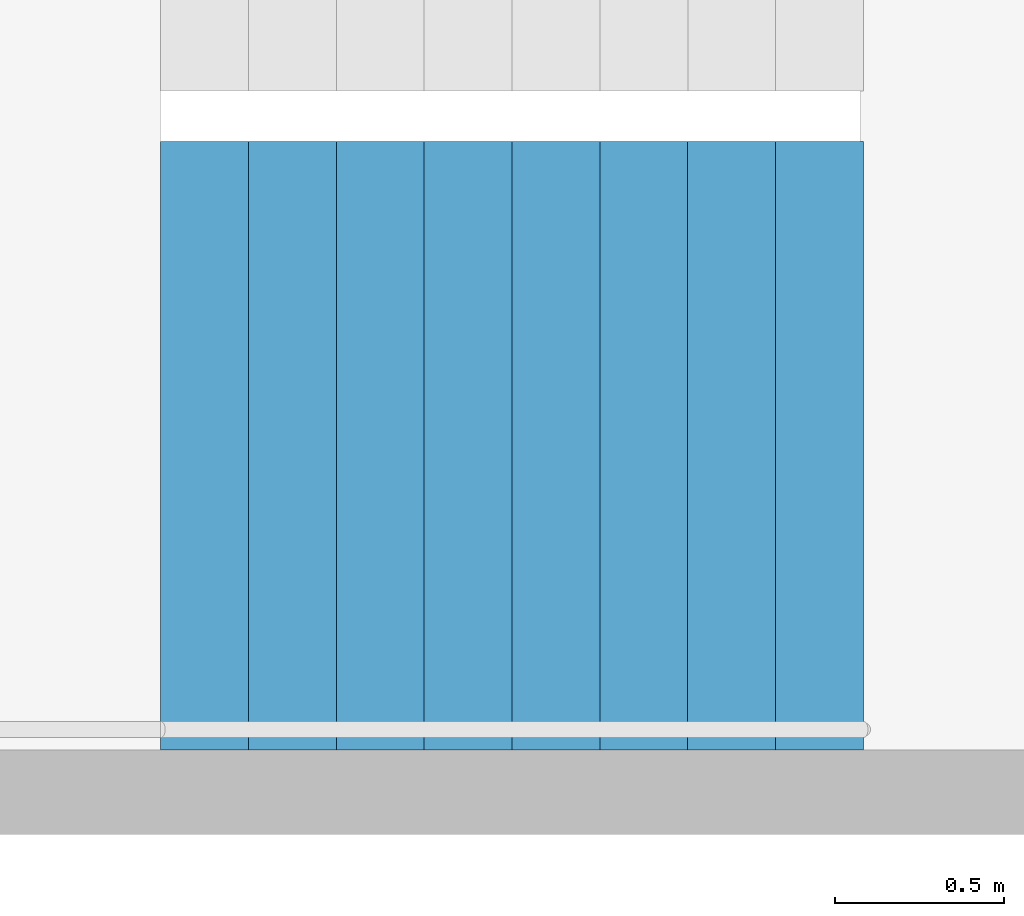
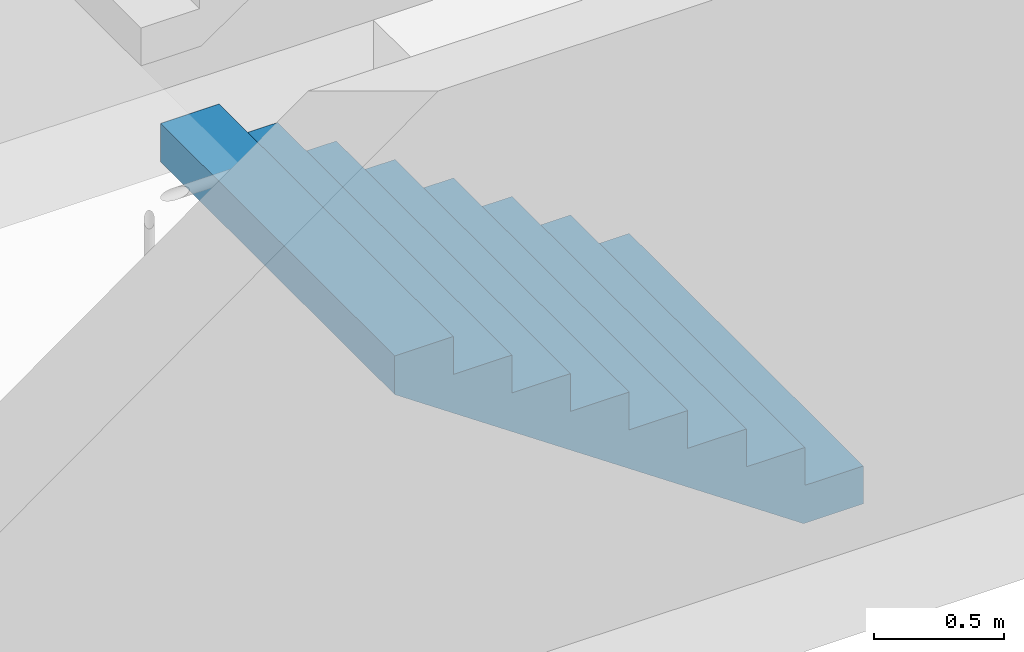
# One storey, part 27 of 36: 1 stair flight, 1 element without a shape of its own.
"""IFC4 building model written with IfcOpenShell, lengths in metres."""

from ifc_helpers import new_model, si_unit, direction, frame, origin, place, context, subcontext, project, spatial, triangles, material, type_object, element, aggregate, save


model = new_model("IFC4")

# Units and contexts
model_context = context("Model", 3, precision=1e-05, world=origin(), true_north=direction((0.0, 1.0)))
body_context = subcontext(model_context, "Body", "Model", "MODEL_VIEW")
ifc_project = project(units=[si_unit("LENGTHUNIT", "METRE"), si_unit("AREAUNIT", "SQUARE_METRE"), si_unit("VOLUMEUNIT", "CUBIC_METRE"), si_unit("PLANEANGLEUNIT", "RADIAN"), si_unit("MASSUNIT", "GRAM", prefix="KILO")], contexts=[model_context])

# Site, building, storey
site_placement = place(None, origin())
site = spatial("IfcSite", under=ifc_project, at=site_placement, CompositionType="ELEMENT")
building_placement = place(site_placement, origin())
building = spatial("IfcBuilding", under=site, at=building_placement, Name="Hakoniwa Tower and Hamabe Station Hall", CompositionType="ELEMENT")
storey_placement = place(building_placement, frame((0.0, 0.0, 26.199951171875)))
storey = spatial("IfcBuildingStorey", under=building, at=storey_placement, Name="L06", CompositionType="ELEMENT", Elevation=26.199951171875)

# Stair, stair flight
ifc_material_1 = material(Name="Concrete C40", Category="concrete")
stair_type = type_object("IfcStairType", Name="ESCAPE STAIR 1800", PredefinedType="HALF_TURN_STAIR", material=ifc_material_1)
stair_placement = place(storey_placement, origin())
stair = element("IfcStair", 1, at=stair_placement, inside=storey, type_object=stair_type, Name="Escape stair ST-3 L06", PredefinedType="HALF_TURN_STAIR")
ifc_material_2 = material(Name="Concrete C40", Category="concrete")
stair_flight_type = type_object("IfcStairFlightType", Name="STAIR FLIGHT 1800", PredefinedType="STRAIGHT", material=ifc_material_2)
stair_flight_placement = place(storey_placement, frame((24.39990234375, 4.64990234375, 0.0), z_axis=(0.0, 0.0, 1.0), x_axis=(-1.0, 0.0, 0.0)))
stair_flight = element("IfcStairFlight", 2, at=stair_flight_placement, type_object=stair_flight_type, Name="ST-3 flight 1", NumberOfRisers=9, NumberOfTreads=8, PredefinedType="STRAIGHT", RiserHeight=0.177777778, TreadLength=0.26, context=body_context, shape_type="Tessellation", body=[
    triangles([(0.0, 0.89990234375, 0.0), (0.260009765625, 0.89990234375, 0.0), (0.265625, 0.89990234375, 0.0), (0.52001953125, 0.89990234375, 0.174072265625), (0.780029296875, 0.89990234375, 0.351806640625), (1.0400390625, 0.89990234375, 0.529541015625), (1.300048828125, 0.89990234375, 0.707275390625), (1.56005859375, 0.89990234375, 0.885009765625), (1.820068359375, 0.89990234375, 1.062744140625), (2.080078125, 0.89990234375, 1.24072265625), (2.080078125, 0.89990234375, 1.422119140625), (1.820068359375, 0.89990234375, 1.422119140625), (1.820068359375, 0.89990234375, 1.244384765625), (1.56005859375, 0.89990234375, 1.244384765625), (1.56005859375, 0.89990234375, 1.066650390625), (1.300048828125, 0.89990234375, 1.066650390625), (1.300048828125, 0.89990234375, 0.888916015625), (1.0400390625, 0.89990234375, 0.888916015625), (1.0400390625, 0.89990234375, 0.711181640625), (0.780029296875, 0.89990234375, 0.711181640625), (0.780029296875, 0.89990234375, 0.533447265625), (0.52001953125, 0.89990234375, 0.533447265625), (0.52001953125, 0.89990234375, 0.35546875), (0.265625, 0.89990234375, 0.35546875), (0.260009765625, 0.89990234375, 0.35546875), (0.260009765625, 0.89990234375, 0.177734375), (0.0, 0.89990234375, 0.177734375), (0.0, 0.06005859375, 0.0), (0.260009765625, 0.06005859375, 0.0), (0.265625, 0.06005859375, 0.0), (0.52001953125, 0.06005859375, 0.174072265625), (0.780029296875, 0.06005859375, 0.351806640625), (1.0400390625, 0.06005859375, 0.529541015625), (1.300048828125, 0.06005859375, 0.707275390625), (1.56005859375, 0.06005859375, 0.885009765625), (1.820068359375, 0.06005859375, 1.062744140625), (2.080078125, 0.06005859375, 1.24072265625), (2.080078125, 0.06005859375, 1.422119140625), (1.820068359375, 0.06005859375, 1.422119140625), (1.820068359375, 0.06005859375, 1.244384765625), (1.56005859375, 0.06005859375, 1.244384765625), (1.56005859375, 0.06005859375, 1.066650390625), (1.300048828125, 0.06005859375, 1.066650390625), (1.300048828125, 0.06005859375, 0.888916015625), (1.0400390625, 0.06005859375, 0.888916015625), (1.0400390625, 0.06005859375, 0.711181640625), (0.780029296875, 0.06005859375, 0.711181640625), (0.780029296875, 0.06005859375, 0.533447265625), (0.52001953125, 0.06005859375, 0.533447265625), (0.52001953125, 0.06005859375, 0.35546875), (0.265625, 0.06005859375, 0.35546875), (0.260009765625, 0.06005859375, 0.35546875), (0.260009765625, 0.06005859375, 0.177734375), (0.0, 0.06005859375, 0.177734375), (0.0, 0.04296875, 0.0), (0.260009765625, 0.04296875, 0.0), (0.265625, 0.04296875, 0.0), (0.52001953125, 0.04296875, 0.174072265625), (0.780029296875, 0.04296875, 0.351806640625), (1.0400390625, 0.04296875, 0.529541015625), (1.300048828125, 0.04296875, 0.707275390625), (1.56005859375, 0.04296875, 0.885009765625), (1.820068359375, 0.04296875, 1.062744140625), (2.080078125, 0.04296875, 1.24072265625), (2.080078125, 0.04296875, 1.422119140625), (1.820068359375, 0.04296875, 1.422119140625), (1.820068359375, 0.04296875, 1.244384765625), (1.56005859375, 0.04296875, 1.244384765625), (1.56005859375, 0.04296875, 1.066650390625), (1.300048828125, 0.04296875, 1.066650390625), (1.300048828125, 0.04296875, 0.888916015625), (1.0400390625, 0.04296875, 0.888916015625), (1.0400390625, 0.04296875, 0.711181640625), (0.780029296875, 0.04296875, 0.711181640625), (0.780029296875, 0.04296875, 0.533447265625), (0.52001953125, 0.04296875, 0.533447265625), (0.52001953125, 0.04296875, 0.35546875), (0.265625, 0.04296875, 0.35546875), (0.260009765625, 0.04296875, 0.35546875), (0.260009765625, 0.04296875, 0.177734375), (0.0, 0.04296875, 0.177734375), (0.0, 0.025634765625, 0.0), (0.260009765625, 0.025634765625, 0.0), (0.265625, 0.025634765625, 0.0), (0.52001953125, 0.025634765625, 0.174072265625), (0.780029296875, 0.025634765625, 0.351806640625), (1.0400390625, 0.025634765625, 0.529541015625), (1.300048828125, 0.025634765625, 0.707275390625), (1.56005859375, 0.025634765625, 0.885009765625), (1.820068359375, 0.025634765625, 1.062744140625), (2.080078125, 0.025634765625, 1.24072265625), (2.080078125, 0.025634765625, 1.422119140625), (1.820068359375, 0.025634765625, 1.422119140625), (1.820068359375, 0.025634765625, 1.244384765625), (1.56005859375, 0.025634765625, 1.244384765625), (1.56005859375, 0.025634765625, 1.066650390625), (1.300048828125, 0.025634765625, 1.066650390625), (1.300048828125, 0.025634765625, 0.888916015625), (1.0400390625, 0.025634765625, 0.888916015625), (1.0400390625, 0.025634765625, 0.711181640625), (0.780029296875, 0.025634765625, 0.711181640625), (0.780029296875, 0.025634765625, 0.533447265625), (0.52001953125, 0.025634765625, 0.533447265625), (0.52001953125, 0.025634765625, 0.35546875), (0.265625, 0.025634765625, 0.35546875), (0.260009765625, 0.025634765625, 0.35546875), (0.260009765625, 0.025634765625, 0.177734375), (0.0, 0.025634765625, 0.177734375), (0.0, 0.008544921875, 0.0), (0.260009765625, 0.008544921875, 0.0), (0.265625, 0.008544921875, 0.0), (0.52001953125, 0.008544921875, 0.174072265625), (0.780029296875, 0.008544921875, 0.351806640625), (1.0400390625, 0.008544921875, 0.529541015625), (1.300048828125, 0.008544921875, 0.707275390625), (1.56005859375, 0.008544921875, 0.885009765625), (1.820068359375, 0.008544921875, 1.062744140625), (2.080078125, 0.008544921875, 1.24072265625), (2.080078125, 0.008544921875, 1.422119140625), (1.820068359375, 0.008544921875, 1.422119140625), (1.820068359375, 0.008544921875, 1.244384765625), (1.56005859375, 0.008544921875, 1.244384765625), (1.56005859375, 0.008544921875, 1.066650390625), (1.300048828125, 0.008544921875, 1.066650390625), (1.300048828125, 0.008544921875, 0.888916015625), (1.0400390625, 0.008544921875, 0.888916015625), (1.0400390625, 0.008544921875, 0.711181640625), (0.780029296875, 0.008544921875, 0.711181640625), (0.780029296875, 0.008544921875, 0.533447265625), (0.52001953125, 0.008544921875, 0.533447265625), (0.52001953125, 0.008544921875, 0.35546875), (0.265625, 0.008544921875, 0.35546875), (0.260009765625, 0.008544921875, 0.35546875), (0.260009765625, 0.008544921875, 0.177734375), (0.0, 0.008544921875, 0.177734375), (0.0, -0.008544921875, 0.0), (0.260009765625, -0.008544921875, 0.0), (0.265625, -0.008544921875, 0.0), (0.52001953125, -0.008544921875, 0.174072265625), (0.780029296875, -0.008544921875, 0.351806640625), (1.0400390625, -0.008544921875, 0.529541015625), (1.300048828125, -0.008544921875, 0.707275390625), (1.56005859375, -0.008544921875, 0.885009765625), (1.820068359375, -0.008544921875, 1.062744140625), (2.080078125, -0.008544921875, 1.24072265625), (2.080078125, -0.008544921875, 1.422119140625), (1.820068359375, -0.008544921875, 1.422119140625), (1.820068359375, -0.008544921875, 1.244384765625), (1.56005859375, -0.008544921875, 1.244384765625), (1.56005859375, -0.008544921875, 1.066650390625), (1.300048828125, -0.008544921875, 1.066650390625), (1.300048828125, -0.008544921875, 0.888916015625), (1.0400390625, -0.008544921875, 0.888916015625), (1.0400390625, -0.008544921875, 0.711181640625), (0.780029296875, -0.008544921875, 0.711181640625), (0.780029296875, -0.008544921875, 0.533447265625), (0.52001953125, -0.008544921875, 0.533447265625), (0.52001953125, -0.008544921875, 0.35546875), (0.265625, -0.008544921875, 0.35546875), (0.260009765625, -0.008544921875, 0.35546875), (0.260009765625, -0.008544921875, 0.177734375), (0.0, -0.008544921875, 0.177734375), (0.0, -0.025634765625, 0.0), (0.260009765625, -0.025634765625, 0.0), (0.265625, -0.025634765625, 0.0), (0.52001953125, -0.025634765625, 0.174072265625), (0.780029296875, -0.025634765625, 0.351806640625), (1.0400390625, -0.025634765625, 0.529541015625), (1.300048828125, -0.025634765625, 0.707275390625), (1.56005859375, -0.025634765625, 0.885009765625), (1.820068359375, -0.025634765625, 1.062744140625), (2.080078125, -0.025634765625, 1.24072265625), (2.080078125, -0.025634765625, 1.422119140625), (1.820068359375, -0.025634765625, 1.422119140625), (1.820068359375, -0.025634765625, 1.244384765625), (1.56005859375, -0.025634765625, 1.244384765625), (1.56005859375, -0.025634765625, 1.066650390625), (1.300048828125, -0.025634765625, 1.066650390625), (1.300048828125, -0.025634765625, 0.888916015625), (1.0400390625, -0.025634765625, 0.888916015625), (1.0400390625, -0.025634765625, 0.711181640625), (0.780029296875, -0.025634765625, 0.711181640625), (0.780029296875, -0.025634765625, 0.533447265625), (0.52001953125, -0.025634765625, 0.533447265625), (0.52001953125, -0.025634765625, 0.35546875), (0.265625, -0.025634765625, 0.35546875), (0.260009765625, -0.025634765625, 0.35546875), (0.260009765625, -0.025634765625, 0.177734375), (0.0, -0.025634765625, 0.177734375), (0.0, -0.04296875, 0.0), (0.260009765625, -0.04296875, 0.0), (0.265625, -0.04296875, 0.0), (0.52001953125, -0.04296875, 0.174072265625), (0.780029296875, -0.04296875, 0.351806640625), (1.0400390625, -0.04296875, 0.529541015625), (1.300048828125, -0.04296875, 0.707275390625), (1.56005859375, -0.04296875, 0.885009765625), (1.820068359375, -0.04296875, 1.062744140625), (2.080078125, -0.04296875, 1.24072265625), (2.080078125, -0.04296875, 1.422119140625), (1.820068359375, -0.04296875, 1.422119140625), (1.820068359375, -0.04296875, 1.244384765625), (1.56005859375, -0.04296875, 1.244384765625), (1.56005859375, -0.04296875, 1.066650390625), (1.300048828125, -0.04296875, 1.066650390625), (1.300048828125, -0.04296875, 0.888916015625), (1.0400390625, -0.04296875, 0.888916015625), (1.0400390625, -0.04296875, 0.711181640625), (0.780029296875, -0.04296875, 0.711181640625), (0.780029296875, -0.04296875, 0.533447265625), (0.52001953125, -0.04296875, 0.533447265625), (0.52001953125, -0.04296875, 0.35546875), (0.265625, -0.04296875, 0.35546875), (0.260009765625, -0.04296875, 0.35546875), (0.260009765625, -0.04296875, 0.177734375), (0.0, -0.04296875, 0.177734375), (0.0, -0.06005859375, 0.0), (0.260009765625, -0.06005859375, 0.0), (0.265625, -0.06005859375, 0.0), (0.52001953125, -0.06005859375, 0.174072265625), (0.780029296875, -0.06005859375, 0.351806640625), (1.0400390625, -0.06005859375, 0.529541015625), (1.300048828125, -0.06005859375, 0.707275390625), (1.56005859375, -0.06005859375, 0.885009765625), (1.820068359375, -0.06005859375, 1.062744140625), (2.080078125, -0.06005859375, 1.24072265625), (2.080078125, -0.06005859375, 1.422119140625), (1.820068359375, -0.06005859375, 1.422119140625), (1.820068359375, -0.06005859375, 1.244384765625), (1.56005859375, -0.06005859375, 1.244384765625), (1.56005859375, -0.06005859375, 1.066650390625), (1.300048828125, -0.06005859375, 1.066650390625), (1.300048828125, -0.06005859375, 0.888916015625), (1.0400390625, -0.06005859375, 0.888916015625), (1.0400390625, -0.06005859375, 0.711181640625), (0.780029296875, -0.06005859375, 0.711181640625), (0.780029296875, -0.06005859375, 0.533447265625), (0.52001953125, -0.06005859375, 0.533447265625), (0.52001953125, -0.06005859375, 0.35546875), (0.265625, -0.06005859375, 0.35546875), (0.260009765625, -0.06005859375, 0.35546875), (0.260009765625, -0.06005859375, 0.177734375), (0.0, -0.06005859375, 0.177734375), (0.0, -0.89990234375, 0.0), (0.260009765625, -0.89990234375, 0.0), (0.265625, -0.89990234375, 0.0), (0.52001953125, -0.89990234375, 0.174072265625), (0.780029296875, -0.89990234375, 0.351806640625), (1.0400390625, -0.89990234375, 0.529541015625), (1.300048828125, -0.89990234375, 0.707275390625), (1.56005859375, -0.89990234375, 0.885009765625), (1.820068359375, -0.89990234375, 1.062744140625), (2.080078125, -0.89990234375, 1.24072265625), (2.080078125, -0.89990234375, 1.422119140625), (1.820068359375, -0.89990234375, 1.422119140625), (1.820068359375, -0.89990234375, 1.244384765625), (1.56005859375, -0.89990234375, 1.244384765625), (1.56005859375, -0.89990234375, 1.066650390625), (1.300048828125, -0.89990234375, 1.066650390625), (1.300048828125, -0.89990234375, 0.888916015625), (1.0400390625, -0.89990234375, 0.888916015625), (1.0400390625, -0.89990234375, 0.711181640625), (0.780029296875, -0.89990234375, 0.711181640625), (0.780029296875, -0.89990234375, 0.533447265625), (0.52001953125, -0.89990234375, 0.533447265625), (0.52001953125, -0.89990234375, 0.35546875), (0.265625, -0.89990234375, 0.35546875), (0.260009765625, -0.89990234375, 0.35546875), (0.260009765625, -0.89990234375, 0.177734375), (0.0, -0.89990234375, 0.177734375)], [[2, 27, 26], [245, 269, 270], [2, 1, 27], [245, 270, 244], [3, 25, 24], [246, 267, 268], [3, 26, 25], [246, 268, 269], [3, 2, 26], [246, 269, 245], [4, 24, 23], [247, 266, 267], [4, 3, 24], [247, 267, 246], [5, 22, 21], [248, 264, 265], [5, 23, 22], [248, 265, 266], [5, 4, 23], [248, 266, 247], [6, 20, 19], [249, 262, 263], [6, 21, 20], [249, 263, 264], [6, 5, 21], [249, 264, 248], [7, 18, 17], [250, 260, 261], [7, 19, 18], [250, 261, 262], [7, 6, 19], [250, 262, 249], [8, 16, 15], [251, 258, 259], [8, 17, 16], [251, 259, 260], [8, 7, 17], [251, 260, 250], [9, 14, 13], [252, 256, 257], [9, 15, 14], [252, 257, 258], [9, 8, 15], [252, 258, 251], [10, 12, 11], [253, 254, 255], [10, 13, 12], [253, 255, 256], [10, 9, 13], [253, 256, 252], [1, 2, 29], [1, 29, 28], [28, 29, 56], [28, 56, 55], [55, 56, 83], [55, 83, 82], [82, 83, 110], [82, 110, 109], [109, 110, 137], [109, 137, 136], [136, 137, 164], [136, 164, 163], [163, 164, 191], [163, 191, 190], [190, 191, 218], [190, 218, 217], [217, 218, 245], [217, 245, 244], [2, 3, 30], [2, 30, 29], [29, 30, 57], [29, 57, 56], [56, 57, 84], [56, 84, 83], [83, 84, 111], [83, 111, 110], [110, 111, 138], [110, 138, 137], [137, 138, 165], [137, 165, 164], [164, 165, 192], [164, 192, 191], [191, 192, 219], [191, 219, 218], [218, 219, 246], [218, 246, 245], [3, 4, 31], [3, 31, 30], [30, 31, 58], [30, 58, 57], [57, 58, 85], [57, 85, 84], [84, 85, 112], [84, 112, 111], [111, 112, 139], [111, 139, 138], [138, 139, 166], [138, 166, 165], [165, 166, 193], [165, 193, 192], [192, 193, 220], [192, 220, 219], [219, 220, 247], [219, 247, 246], [4, 5, 32], [4, 32, 31], [31, 32, 59], [31, 59, 58], [58, 59, 86], [58, 86, 85], [85, 86, 113], [85, 113, 112], [112, 113, 140], [112, 140, 139], [139, 140, 167], [139, 167, 166], [166, 167, 194], [166, 194, 193], [193, 194, 221], [193, 221, 220], [220, 221, 248], [220, 248, 247], [5, 6, 33], [5, 33, 32], [32, 33, 60], [32, 60, 59], [59, 60, 87], [59, 87, 86], [86, 87, 114], [86, 114, 113], [113, 114, 141], [113, 141, 140], [140, 141, 168], [140, 168, 167], [167, 168, 195], [167, 195, 194], [194, 195, 222], [194, 222, 221], [221, 222, 249], [221, 249, 248], [6, 7, 34], [6, 34, 33], [33, 34, 61], [33, 61, 60], [60, 61, 88], [60, 88, 87], [87, 88, 115], [87, 115, 114], [114, 115, 142], [114, 142, 141], [141, 142, 169], [141, 169, 168], [168, 169, 196], [168, 196, 195], [195, 196, 223], [195, 223, 222], [222, 223, 250], [222, 250, 249], [7, 8, 35], [7, 35, 34], [34, 35, 62], [34, 62, 61], [61, 62, 89], [61, 89, 88], [88, 89, 116], [88, 116, 115], [115, 116, 143], [115, 143, 142], [142, 143, 170], [142, 170, 169], [169, 170, 197], [169, 197, 196], [196, 197, 224], [196, 224, 223], [223, 224, 251], [223, 251, 250], [8, 9, 36], [8, 36, 35], [35, 36, 63], [35, 63, 62], [62, 63, 90], [62, 90, 89], [89, 90, 117], [89, 117, 116], [116, 117, 144], [116, 144, 143], [143, 144, 171], [143, 171, 170], [170, 171, 198], [170, 198, 197], [197, 198, 225], [197, 225, 224], [224, 225, 252], [224, 252, 251], [9, 10, 37], [9, 37, 36], [36, 37, 64], [36, 64, 63], [63, 64, 91], [63, 91, 90], [90, 91, 118], [90, 118, 117], [117, 118, 145], [117, 145, 144], [144, 145, 172], [144, 172, 171], [171, 172, 199], [171, 199, 198], [198, 199, 226], [198, 226, 225], [225, 226, 253], [225, 253, 252], [10, 11, 38], [10, 38, 37], [37, 38, 65], [37, 65, 64], [64, 65, 92], [64, 92, 91], [91, 92, 119], [91, 119, 118], [118, 119, 146], [118, 146, 145], [145, 146, 173], [145, 173, 172], [172, 173, 200], [172, 200, 199], [199, 200, 227], [199, 227, 226], [226, 227, 254], [226, 254, 253], [11, 12, 39], [11, 39, 38], [38, 39, 66], [38, 66, 65], [65, 66, 93], [65, 93, 92], [92, 93, 120], [92, 120, 119], [119, 120, 147], [119, 147, 146], [146, 147, 174], [146, 174, 173], [173, 174, 201], [173, 201, 200], [200, 201, 228], [200, 228, 227], [227, 228, 255], [227, 255, 254], [12, 13, 40], [12, 40, 39], [39, 40, 67], [39, 67, 66], [66, 67, 94], [66, 94, 93], [93, 94, 121], [93, 121, 120], [120, 121, 148], [120, 148, 147], [147, 148, 175], [147, 175, 174], [174, 175, 202], [174, 202, 201], [201, 202, 229], [201, 229, 228], [228, 229, 256], [228, 256, 255], [13, 14, 41], [13, 41, 40], [40, 41, 68], [40, 68, 67], [67, 68, 95], [67, 95, 94], [94, 95, 122], [94, 122, 121], [121, 122, 149], [121, 149, 148], [148, 149, 176], [148, 176, 175], [175, 176, 203], [175, 203, 202], [202, 203, 230], [202, 230, 229], [229, 230, 257], [229, 257, 256], [14, 15, 42], [14, 42, 41], [41, 42, 69], [41, 69, 68], [68, 69, 96], [68, 96, 95], [95, 96, 123], [95, 123, 122], [122, 123, 150], [122, 150, 149], [149, 150, 177], [149, 177, 176], [176, 177, 204], [176, 204, 203], [203, 204, 231], [203, 231, 230], [230, 231, 258], [230, 258, 257], [15, 16, 43], [15, 43, 42], [42, 43, 70], [42, 70, 69], [69, 70, 97], [69, 97, 96], [96, 97, 124], [96, 124, 123], [123, 124, 151], [123, 151, 150], [150, 151, 178], [150, 178, 177], [177, 178, 205], [177, 205, 204], [204, 205, 232], [204, 232, 231], [231, 232, 259], [231, 259, 258], [16, 17, 44], [16, 44, 43], [43, 44, 71], [43, 71, 70], [70, 71, 98], [70, 98, 97], [97, 98, 125], [97, 125, 124], [124, 125, 152], [124, 152, 151], [151, 152, 179], [151, 179, 178], [178, 179, 206], [178, 206, 205], [205, 206, 233], [205, 233, 232], [232, 233, 260], [232, 260, 259], [17, 18, 45], [17, 45, 44], [44, 45, 72], [44, 72, 71], [71, 72, 99], [71, 99, 98], [98, 99, 126], [98, 126, 125], [125, 126, 153], [125, 153, 152], [152, 153, 180], [152, 180, 179], [179, 180, 207], [179, 207, 206], [206, 207, 234], [206, 234, 233], [233, 234, 261], [233, 261, 260], [18, 19, 46], [18, 46, 45], [45, 46, 73], [45, 73, 72], [72, 73, 100], [72, 100, 99], [99, 100, 127], [99, 127, 126], [126, 127, 154], [126, 154, 153], [153, 154, 181], [153, 181, 180], [180, 181, 208], [180, 208, 207], [207, 208, 235], [207, 235, 234], [234, 235, 262], [234, 262, 261], [19, 20, 47], [19, 47, 46], [46, 47, 74], [46, 74, 73], [73, 74, 101], [73, 101, 100], [100, 101, 128], [100, 128, 127], [127, 128, 155], [127, 155, 154], [154, 155, 182], [154, 182, 181], [181, 182, 209], [181, 209, 208], [208, 209, 236], [208, 236, 235], [235, 236, 263], [235, 263, 262], [20, 21, 48], [20, 48, 47], [47, 48, 75], [47, 75, 74], [74, 75, 102], [74, 102, 101], [101, 102, 129], [101, 129, 128], [128, 129, 156], [128, 156, 155], [155, 156, 183], [155, 183, 182], [182, 183, 210], [182, 210, 209], [209, 210, 237], [209, 237, 236], [236, 237, 264], [236, 264, 263], [21, 22, 49], [21, 49, 48], [48, 49, 76], [48, 76, 75], [75, 76, 103], [75, 103, 102], [102, 103, 130], [102, 130, 129], [129, 130, 157], [129, 157, 156], [156, 157, 184], [156, 184, 183], [183, 184, 211], [183, 211, 210], [210, 211, 238], [210, 238, 237], [237, 238, 265], [237, 265, 264], [22, 23, 50], [22, 50, 49], [49, 50, 77], [49, 77, 76], [76, 77, 104], [76, 104, 103], [103, 104, 131], [103, 131, 130], [130, 131, 158], [130, 158, 157], [157, 158, 185], [157, 185, 184], [184, 185, 212], [184, 212, 211], [211, 212, 239], [211, 239, 238], [238, 239, 266], [238, 266, 265], [23, 24, 51], [23, 51, 50], [50, 51, 78], [50, 78, 77], [77, 78, 105], [77, 105, 104], [104, 105, 132], [104, 132, 131], [131, 132, 159], [131, 159, 158], [158, 159, 186], [158, 186, 185], [185, 186, 213], [185, 213, 212], [212, 213, 240], [212, 240, 239], [239, 240, 267], [239, 267, 266], [24, 25, 52], [24, 52, 51], [51, 52, 79], [51, 79, 78], [78, 79, 106], [78, 106, 105], [105, 106, 133], [105, 133, 132], [132, 133, 160], [132, 160, 159], [159, 160, 187], [159, 187, 186], [186, 187, 214], [186, 214, 213], [213, 214, 241], [213, 241, 240], [240, 241, 268], [240, 268, 267], [25, 26, 53], [25, 53, 52], [52, 53, 80], [52, 80, 79], [79, 80, 107], [79, 107, 106], [106, 107, 134], [106, 134, 133], [133, 134, 161], [133, 161, 160], [160, 161, 188], [160, 188, 187], [187, 188, 215], [187, 215, 214], [214, 215, 242], [214, 242, 241], [241, 242, 269], [241, 269, 268], [26, 27, 54], [26, 54, 53], [53, 54, 81], [53, 81, 80], [80, 81, 108], [80, 108, 107], [107, 108, 135], [107, 135, 134], [134, 135, 162], [134, 162, 161], [161, 162, 189], [161, 189, 188], [188, 189, 216], [188, 216, 215], [215, 216, 243], [215, 243, 242], [242, 243, 270], [242, 270, 269], [27, 1, 28], [27, 28, 54], [54, 28, 55], [54, 55, 81], [81, 55, 82], [81, 82, 108], [108, 82, 109], [108, 109, 135], [135, 109, 136], [135, 136, 162], [162, 136, 163], [162, 163, 189], [189, 163, 190], [189, 190, 216], [216, 190, 217], [216, 217, 243], [243, 217, 244], [243, 244, 270]], closed=True),
])
aggregate(stair, [stair_flight])

save(model, "model.ifc")
